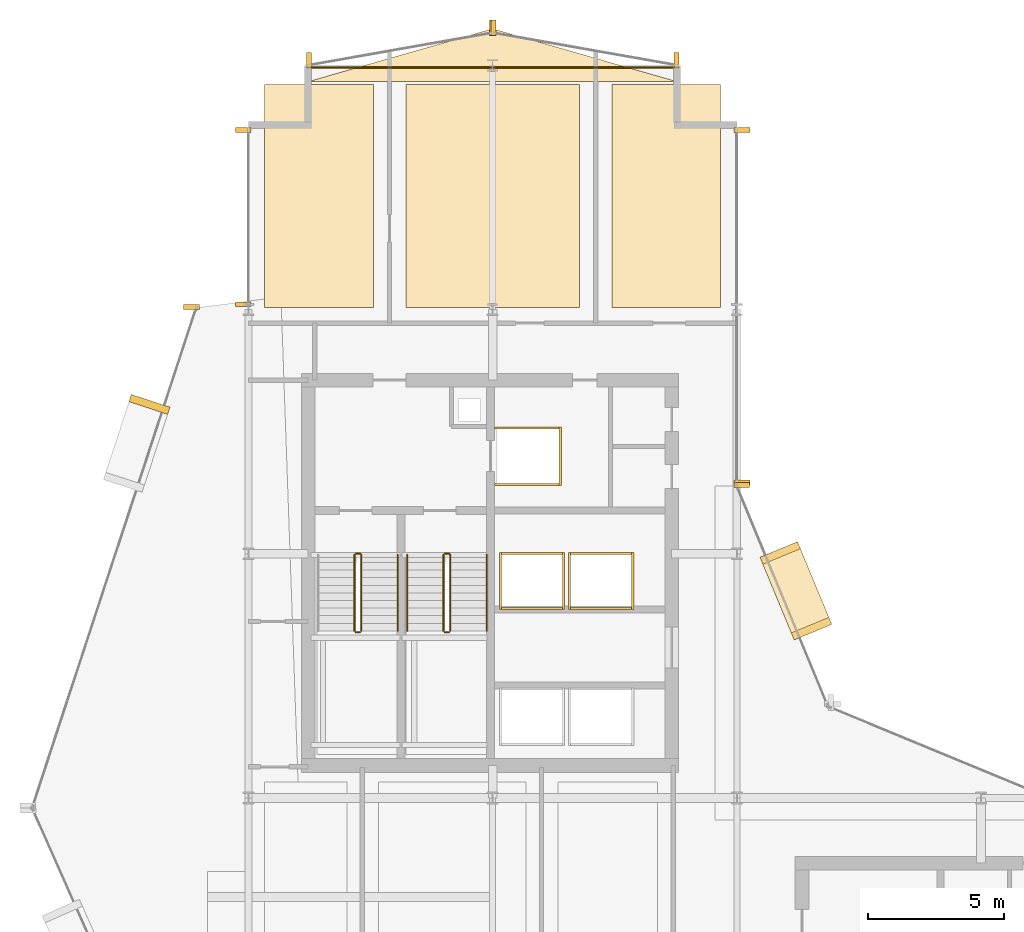
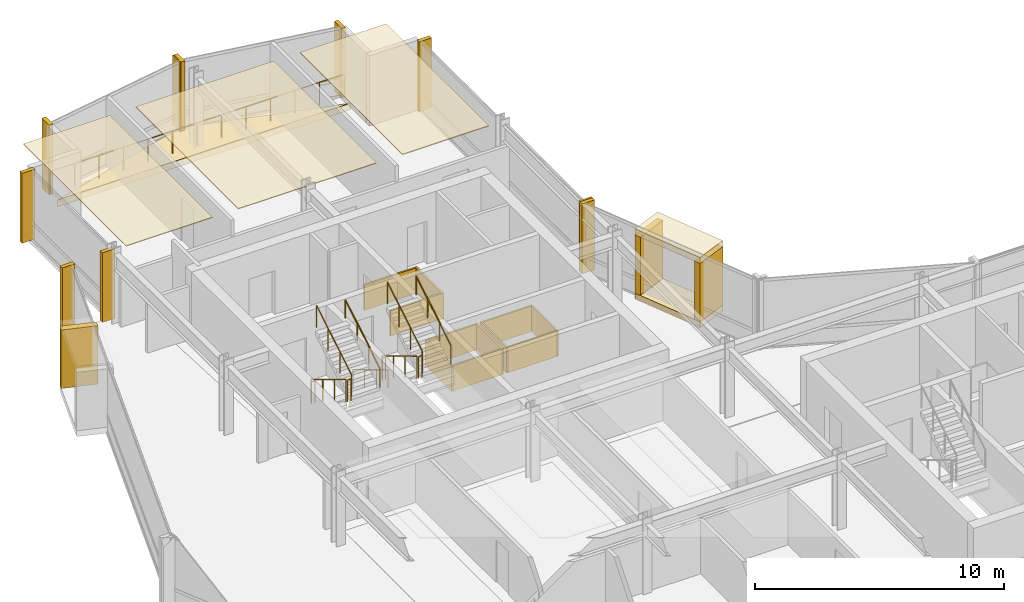
# One storey, part 28 of 28: 30 coverings, 12 railings.
"""IFC4 building model written with IfcOpenShell, lengths in metres."""

from ifc_helpers import new_model, si_unit, direction, frame, origin, origin_2d, place, context, subcontext, project, spatial, polyline, rectangle, circle, outline, extrude, material, layer, layer_set, type_object, element, save


model = new_model("IFC4")

# Units and contexts
model_context = context("Model", 3, precision=1e-05, world=origin(), true_north=direction((0.0, 1.0)))
body_context = subcontext(model_context, "Body", "Model", "MODEL_VIEW")
ifc_project = project(units=[si_unit("LENGTHUNIT", "METRE"), si_unit("AREAUNIT", "SQUARE_METRE"), si_unit("VOLUMEUNIT", "CUBIC_METRE"), si_unit("PLANEANGLEUNIT", "RADIAN"), si_unit("MASSUNIT", "GRAM", prefix="KILO")], contexts=[model_context])

# Site, building, storey
site_placement = place(None, origin())
site = spatial("IfcSite", under=ifc_project, at=site_placement, CompositionType="ELEMENT")
building_placement = place(site_placement, origin())
building = spatial("IfcBuilding", under=site, at=building_placement, Name="Solvaryn Broadcast Tower", CompositionType="ELEMENT")
storey_placement = place(building_placement, frame((0.0, 0.0, 154.39990234375)))
storey = spatial("IfcBuildingStorey", under=building, at=storey_placement, Name="L38", CompositionType="ELEMENT", Elevation=154.39990234375)

# Coverings
ifc_material_1 = material(Name="Micro-Perforated Acoustic Gypsum Ceiling", Category="concrete")
ifc_layer_1 = layer(ifc_material_1, 0.0400390625)
ifc_layer_set_1 = layer_set([ifc_layer_1], Name="CV-CEIL-ACOUSTIC")
covering_type_1 = type_object("IfcCoveringType", Name="CV-CEIL-ACOUSTIC", PredefinedType="CEILING", material=ifc_layer_set_1)
covering_1_placement = place(storey_placement, frame((0.0, 0.0, 3.380126953125)))
element("IfcCovering", 1, at=covering_1_placement, inside=storey, type_object=covering_type_1, Name="L38 Room Acoustic Ceiling 8", PredefinedType="CEILING", context=body_context, shape_type="SweptSolid", body=[
    extrude(outline(polyline([(9.60009765625, 45.070068359375), (13.60009765625, 45.070068359375), (13.60009765625, 53.300048828125), (9.60009765625, 53.300048828125), (9.60009765625, 45.070068359375)])), origin(), (0.0, 0.0, 1.0), 0.0400390625),
])
covering_2_placement = place(storey_placement, frame((0.0, 0.0, 3.380126953125)))
element("IfcCovering", 2, at=covering_2_placement, inside=storey, type_object=covering_type_1, Name="L38 Room Acoustic Ceiling 9", PredefinedType="CEILING", context=body_context, shape_type="SweptSolid", body=[
    extrude(outline(polyline([(14.800048828125, 45.070068359375), (21.199951171875, 45.070068359375), (21.199951171875, 53.300048828125), (14.800048828125, 53.300048828125), (14.800048828125, 45.070068359375)])), origin(), (0.0, 0.0, 1.0), 0.0400390625),
])
covering_3_placement = place(storey_placement, frame((0.0, 0.0, 3.380126953125)))
element("IfcCovering", 3, at=covering_3_placement, inside=storey, type_object=covering_type_1, Name="L38 Room Acoustic Ceiling 10", PredefinedType="CEILING", context=body_context, shape_type="SweptSolid", body=[
    extrude(outline(polyline([(22.39990234375, 45.070068359375), (26.39990234375, 45.070068359375), (26.39990234375, 53.300048828125), (22.39990234375, 53.300048828125), (22.39990234375, 45.070068359375)])), origin(), (0.0, 0.0, 1.0), 0.0400390625),
])
ifc_material_2 = material(Name="Fire-Rated Gypsum Shaftwall Liner", Category="concrete")
ifc_layer_2 = layer(ifc_material_2, 0.080078125)
ifc_layer_set_2 = layer_set([ifc_layer_2], Name="CV-SHAFT-LINER")
covering_type_2 = type_object("IfcCoveringType", Name="CV-SHAFT-LINER", PredefinedType="CLADDING", material=ifc_layer_set_2)
for number, where, z_axis, x_axis, name in (
    (4, (19.300048828125, 40.639892578125, 0.0), (0.0, 0.0, 1.0), (1.0, 0.0, 0.0), "L38 FL1 Hoistway Shaft Liner North"),
    (5, (19.300048828125, 38.56005859375, 0.0), (0.0, 0.0, 1.0), (1.0, 0.0, 0.0), "L38 FL1 Hoistway Shaft Liner South"),
):
    element("IfcCovering", number, at=place(storey_placement, frame(where, z_axis=z_axis, x_axis=x_axis)), inside=storey, type_object=covering_type_2, Name=name, PredefinedType="CLADDING", context=body_context, shape_type="SweptSolid", body=[
        extrude(rectangle(XDim=2.4599609375, YDim=0.080078125, at=origin_2d()), origin(), (0.0, 0.0, 1.0), 1.25),
    ])
covering_4_placement = place(storey_placement, frame((20.489990234375, 39.60009765625, 0.0), z_axis=(0.0, 0.0, 1.0), x_axis=(1.0, 0.0, 0.0)))
element("IfcCovering", 6, at=covering_4_placement, inside=storey, type_object=covering_type_2, Name="L38 FL1 Hoistway Shaft Liner East", PredefinedType="CLADDING", context=body_context, shape_type="SweptSolid", body=[
    extrude(rectangle(XDim=0.080078125, YDim=2.159912109375, at=origin_2d()), origin(), (0.0, 0.0, 1.0), 1.25),
])
for number, where, z_axis, x_axis, name in (
    (7, (19.449951171875, 36.014892578125, 0.0), (0.0, 0.0, 1.0), (1.0, 0.0, 0.0), "L38 PH3 Hoistway Shaft Liner North"),
    (8, (19.449951171875, 33.985107421875, 0.0), (0.0, 0.0, 1.0), (1.0, 0.0, 0.0), "L38 PH3 Hoistway Shaft Liner South"),
):
    element("IfcCovering", number, at=place(storey_placement, frame(where, z_axis=z_axis, x_axis=x_axis)), inside=storey, type_object=covering_type_2, Name=name, PredefinedType="CLADDING", context=body_context, shape_type="SweptSolid", body=[
        extrude(rectangle(XDim=2.409912109375, YDim=0.080078125, at=origin_2d()), origin(), (0.0, 0.0, 1.0), 1.25),
    ])
for number, where, z_axis, x_axis, name in (
    (9, (20.614990234375, 35.0, 0.0), (0.0, 0.0, 1.0), (1.0, 0.0, 0.0), "L38 PH3 Hoistway Shaft Liner East"),
    (10, (18.284912109375, 35.0, 0.0), (0.0, 0.0, 1.0), (1.0, 0.0, 0.0), "L38 PH3 Hoistway Shaft Liner West"),
):
    element("IfcCovering", number, at=place(storey_placement, frame(where, z_axis=z_axis, x_axis=x_axis)), inside=storey, type_object=covering_type_2, Name=name, PredefinedType="CLADDING", context=body_context, shape_type="SweptSolid", body=[
        extrude(rectangle(XDim=0.080078125, YDim=2.110107421875, at=origin_2d()), origin(), (0.0, 0.0, 1.0), 1.25),
    ])
for number, where, z_axis, x_axis, name in (
    (11, (22.0, 36.014892578125, 0.0), (0.0, 0.0, 1.0), (1.0, 0.0, 0.0), "L38 PH4 Hoistway Shaft Liner North"),
    (12, (22.0, 33.985107421875, 0.0), (0.0, 0.0, 1.0), (1.0, 0.0, 0.0), "L38 PH4 Hoistway Shaft Liner South"),
):
    element("IfcCovering", number, at=place(storey_placement, frame(where, z_axis=z_axis, x_axis=x_axis)), inside=storey, type_object=covering_type_2, Name=name, PredefinedType="CLADDING", context=body_context, shape_type="SweptSolid", body=[
        extrude(rectangle(XDim=2.409912109375, YDim=0.080078125, at=origin_2d()), origin(), (0.0, 0.0, 1.0), 1.25),
    ])
for number, where, z_axis, x_axis, name in (
    (13, (23.1650390625, 35.0, 0.0), (0.0, 0.0, 1.0), (1.0, 0.0, 0.0), "L38 PH4 Hoistway Shaft Liner East"),
    (14, (20.8349609375, 35.0, 0.0), (0.0, 0.0, 1.0), (1.0, 0.0, 0.0), "L38 PH4 Hoistway Shaft Liner West"),
):
    element("IfcCovering", number, at=place(storey_placement, frame(where, z_axis=z_axis, x_axis=x_axis)), inside=storey, type_object=covering_type_2, Name=name, PredefinedType="CLADDING", context=body_context, shape_type="SweptSolid", body=[
        extrude(rectangle(XDim=0.080078125, YDim=2.110107421875, at=origin_2d()), origin(), (0.0, 0.0, 1.0), 1.25),
    ])
ifc_material_3 = material(Name="Glazed Architectural Terracotta Rainscreen Cladding", Category="masonry")
ifc_layer_3 = layer(ifc_material_3, 0.280029296875)
ifc_layer_set_3 = layer_set([ifc_layer_3], Name="CV-TC-CLAD")
covering_type_3 = type_object("IfcCoveringType", Name="CV-TC-CLAD", PredefinedType="CLADDING", material=ifc_layer_set_3)
covering_5_placement = place(storey_placement, frame((5.353515625, 41.505859375, 0.2802734375), z_axis=(0.0, 0.0, 1.0), x_axis=(-0.311671636848, -0.950189870912, 0.0)))
element("IfcCovering", 15, at=covering_5_placement, inside=storey, type_object=covering_type_3, Name="L38 Projecting Stone Window Box Cheek 1-1", PredefinedType="CLADDING", context=body_context, shape_type="SweptSolid", body=[
    extrude(rectangle(XDim=0.280029296875, YDim=1.5, at=origin_2d()), origin(), (0.0, 0.0, 1.0), 2.860107421875),
])
for number, where, z_axis, x_axis, name in (
    (16, (29.174072265625, 34.636962890625, 3.1298828125), (0.0, 0.0, 1.0), (-0.382683432365, 0.923879532511, 0.0), "L38 Projecting Stone Window Box Hood 5"),
    (17, (29.174072265625, 34.636962890625, -0.009765625), (0.0, 0.0, 1.0), (-0.382683432365, 0.923879532511, 0.0), "L38 Projecting Stone Window Box Sill 5"),
):
    element("IfcCovering", number, at=place(storey_placement, frame(where, z_axis=z_axis, x_axis=x_axis)), inside=storey, type_object=covering_type_3, Name=name, PredefinedType="CLADDING", context=body_context, shape_type="SweptSolid", body=[
        extrude(rectangle(XDim=3.300048828125, YDim=1.5, at=origin_2d()), origin(), (0.0, 0.0, 1.0), 0.300048828125),
    ])
for number, where, z_axis, x_axis, name in (
    (18, (29.751953125, 33.241943359375, 0.2802734375), (0.0, 0.0, 1.0), (-0.382683432365, 0.923879532511, 0.0), "L38 Projecting Stone Window Box Cheek 5-1"),
    (19, (28.59619140625, 36.031982421875, 0.2802734375), (0.0, 0.0, 1.0), (-0.382683432365, 0.923879532511, 0.0), "L38 Projecting Stone Window Box Cheek 5-2"),
):
    element("IfcCovering", number, at=place(storey_placement, frame(where, z_axis=z_axis, x_axis=x_axis)), inside=storey, type_object=covering_type_3, Name=name, PredefinedType="CLADDING", context=body_context, shape_type="SweptSolid", body=[
        extrude(rectangle(XDim=0.280029296875, YDim=1.5, at=origin_2d()), origin(), (0.0, 0.0, 1.0), 2.860107421875),
    ])
ifc_material_4 = material(Name="Extruded Architectural Terracotta Fin", Category="masonry")
ifc_layer_4 = layer(ifc_material_4, 0.179931640625)
ifc_layer_set_4 = layer_set([ifc_layer_4], Name="CV-TC-FIN")
covering_type_4 = type_object("IfcCoveringType", Name="CV-TC-FIN", PredefinedType="USERDEFINED", material=ifc_layer_set_4)
for number, where, z_axis, x_axis, name in (
    (20, (6.898681640625, 45.0947265625, 0.000244140625), (0.0, 0.0, 1.0), (1.0, 0.0, 0.0), "L38 Terracotta Vertical Fin FIN-L38-DR1-M00"),
    (21, (8.8125, 45.197021484375, 0.000244140625), (0.0, 0.0, 1.0), (1.0, 0.0, 0.0), "L38 Terracotta Vertical Fin FIN-L38-W2-M00"),
    (22, (8.8125, 51.6201171875, 0.000244140625), (0.0, 0.0, 1.0), (1.0, 0.0, 0.0), "L38 Terracotta Vertical Fin FIN-L38-W2-M01"),
    (23, (27.1875, 51.6201171875, 0.000244140625), (0.0, 0.0, 1.0), (1.0, 0.0, 0.0), "L38 Terracotta Vertical Fin FIN-L38-IV-M00"),
    (24, (27.1875, 38.6298828125, 0.000244140625), (0.0, 0.0, 1.0), (1.0, 0.0, 0.0), "L38 Terracotta Vertical Fin FIN-L38-IV-M01"),
    (25, (27.177978515625, 38.541259765625, 0.000244140625), (0.0, 0.0, 1.0), (1.0, 0.0, 0.0), "L38 Terracotta Vertical Fin FIN-L38-CN2-M01"),
):
    element("IfcCovering", number, at=place(storey_placement, frame(where, z_axis=z_axis, x_axis=x_axis)), inside=storey, type_object=covering_type_4, Name=name, ObjectType="FIN", PredefinedType="USERDEFINED", context=body_context, shape_type="SweptSolid", body=[
        extrude(rectangle(XDim=0.580078125, YDim=0.179931640625, at=origin_2d()), origin(), (0.0, 0.0, 1.0), 3.419921875),
    ])
for number, where, z_axis, x_axis, name in (
    (26, (24.7705078125, 54.192626953125, 0.000244140625), (0.0, 0.0, 1.0), (1.0, 0.0, 0.0), "L38 Terracotta Vertical Fin FIN-L38-NT1-M00"),
    (27, (18.029541015625, 55.38232421875, 0.000244140625), (0.0, 0.0, 1.0), (1.0, 0.0, 0.0), "L38 Terracotta Vertical Fin FIN-L38-NT1-M01"),
    (28, (17.970458984375, 55.38232421875, 0.000244140625), (0.0, 0.0, 1.0), (1.0, 0.0, 0.0), "L38 Terracotta Vertical Fin FIN-L38-NT2-M00"),
    (29, (11.2294921875, 54.192626953125, 0.000244140625), (0.0, 0.0, 1.0), (1.0, 0.0, 0.0), "L38 Terracotta Vertical Fin FIN-L38-NT2-M01"),
):
    element("IfcCovering", number, at=place(storey_placement, frame(where, z_axis=z_axis, x_axis=x_axis)), inside=storey, type_object=covering_type_4, Name=name, ObjectType="FIN", PredefinedType="USERDEFINED", context=body_context, shape_type="SweptSolid", body=[
        extrude(rectangle(XDim=0.179931640625, YDim=0.580078125, at=origin_2d()), origin(), (0.0, 0.0, 1.0), 3.419921875),
    ])
ifc_material_5 = material(Name="Sculpted Architectural Terracotta Wave Fascia", Category="masonry")
ifc_layer_5 = layer(ifc_material_5, 0.340087890625)
ifc_layer_set_5 = layer_set([ifc_layer_5], Name="CV-WAVE-TRAY")
covering_type_5 = type_object("IfcCoveringType", Name="CV-WAVE-TRAY", PredefinedType="CLADDING", material=ifc_layer_set_5)
covering_6_placement = place(storey_placement, frame((0.0, 0.0, -0.2998046875)))
element("IfcCovering", 30, at=covering_6_placement, inside=storey, type_object=covering_type_5, Name="L38 North Curved Wing Deck", PredefinedType="CLADDING", context=body_context, shape_type="SweptSolid", body=[
    extrude(outline(polyline([(11.199951171875, 53.39990234375), (24.800048828125, 53.39990234375), (18.0, 55.35009765625), (11.199951171875, 53.39990234375)])), origin(), (0.0, 0.0, 1.0), 0.329833984375),
])

# Railings
ifc_material_6 = material(Name="Painted Steel Stair Well Guard", Category="steel")
railing_type_1 = type_object("IfcRailingType", Name="RL-STAIR-GUARD", PredefinedType="BALUSTRADE", material=ifc_material_6)
railing_1_placement = place(storey_placement, frame((12.909912109375, 35.9599609375, 0.168212890625)))
element("IfcRailing", 31, at=railing_1_placement, inside=storey, type_object=railing_type_1, Name="L38 ST1 stair guard 1", PredefinedType="BALUSTRADE", context=body_context, shape_type="SweptSolid", body=[
    extrude(circle(Radius=0.02392578125, at=origin_2d()), frame((0.0, 0.0, 1.076171875), z_axis=(0.0, -0.857242210791, 0.514913383045), x_axis=(1.0, 0.0, 0.0)), (0.0, 0.0, 1.0), 3.266357421875),
    extrude(circle(Radius=0.02099609375, at=origin_2d()), origin(), (0.0, 0.0, 1.0), 1.052001953125),
    extrude(circle(Radius=0.02099609375, at=origin_2d()), frame((0.0, -0.933349609375, 0.560546875)), (0.0, 0.0, 1.0), 1.052001953125),
    extrude(circle(Radius=0.02099609375, at=origin_2d()), frame((0.0, -1.86669921875, 1.121337890625)), (0.0, 0.0, 1.0), 1.052001953125),
    extrude(circle(Radius=0.02099609375, at=origin_2d()), frame((0.0, -2.800048828125, 1.681884765625)), (0.0, 0.0, 1.0), 1.052001953125),
])
railing_2_placement = place(storey_placement, frame((12.9599609375, 33.110107421875, 1.85009765625)))
element("IfcRailing", 32, at=railing_2_placement, inside=storey, type_object=railing_type_1, Name="L38 ST1 stair guard 2", PredefinedType="BALUSTRADE", context=body_context, shape_type="SweptSolid", body=[
    extrude(circle(Radius=0.02392578125, at=origin_2d()), frame((0.0, 0.0, 1.076171875), z_axis=(1.0, 0.0, 0.0), x_axis=(0.0, 1.0, 0.0)), (0.0, 0.0, 1.0), 0.150146484375),
    extrude(circle(Radius=0.02099609375, at=origin_2d()), origin(), (0.0, 0.0, 1.0), 1.052001953125),
    extrude(circle(Radius=0.02099609375, at=origin_2d()), frame((0.150146484375, 0.0, 0.0)), (0.0, 0.0, 1.0), 1.052001953125),
])
railing_3_placement = place(storey_placement, frame((13.159912109375, 33.159912109375, 2.018310546875)))
element("IfcRailing", 33, at=railing_3_placement, inside=storey, type_object=railing_type_1, Name="L38 ST1 stair guard 3", PredefinedType="BALUSTRADE", context=body_context, shape_type="SweptSolid", body=[
    extrude(circle(Radius=0.02392578125, at=origin_2d()), frame((0.0, 0.0, 1.076171875), z_axis=(0.0, 0.857242210791, 0.514913383045), x_axis=(-1.0, 0.0, 0.0)), (0.0, 0.0, 1.0), 3.266357421875),
    extrude(circle(Radius=0.02099609375, at=origin_2d()), origin(), (0.0, 0.0, 1.0), 1.052001953125),
    extrude(circle(Radius=0.02099609375, at=origin_2d()), frame((0.0, 0.933349609375, 0.560546875)), (0.0, 0.0, 1.0), 1.052001953125),
    extrude(circle(Radius=0.02099609375, at=origin_2d()), frame((0.0, 1.86669921875, 1.121337890625)), (0.0, 0.0, 1.0), 1.052001953125),
    extrude(circle(Radius=0.02099609375, at=origin_2d()), frame((0.0, 2.800048828125, 1.681884765625)), (0.0, 0.0, 1.0), 1.052001953125),
])
railing_4_placement = place(storey_placement, frame((12.9599609375, 36.010009765625, 0.0)))
element("IfcRailing", 34, at=railing_4_placement, inside=storey, type_object=railing_type_1, Name="L38 ST1 stair guard 4", PredefinedType="BALUSTRADE", context=body_context, shape_type="SweptSolid", body=[
    extrude(circle(Radius=0.02392578125, at=origin_2d()), frame((0.0, 0.0, 1.076171875), z_axis=(1.0, 0.0, 0.0), x_axis=(0.0, 1.0, 0.0)), (0.0, 0.0, 1.0), 0.150146484375),
    extrude(circle(Radius=0.02099609375, at=origin_2d()), origin(), (0.0, 0.0, 1.0), 1.052001953125),
    extrude(circle(Radius=0.02099609375, at=origin_2d()), frame((0.150146484375, 0.0, 0.0)), (0.0, 0.0, 1.0), 1.052001953125),
])
railing_5_placement = place(storey_placement, frame((16.18994140625, 35.9599609375, 0.168212890625)))
element("IfcRailing", 35, at=railing_5_placement, inside=storey, type_object=railing_type_1, Name="L38 ST2 stair guard 1", PredefinedType="BALUSTRADE", context=body_context, shape_type="SweptSolid", body=[
    extrude(circle(Radius=0.02392578125, at=origin_2d()), frame((0.0, 0.0, 1.076171875), z_axis=(0.0, -0.857242210791, 0.514913383045), x_axis=(1.0, 0.0, 0.0)), (0.0, 0.0, 1.0), 3.266357421875),
    extrude(circle(Radius=0.02099609375, at=origin_2d()), origin(), (0.0, 0.0, 1.0), 1.052001953125),
    extrude(circle(Radius=0.02099609375, at=origin_2d()), frame((0.0, -0.933349609375, 0.560546875)), (0.0, 0.0, 1.0), 1.052001953125),
    extrude(circle(Radius=0.02099609375, at=origin_2d()), frame((0.0, -1.86669921875, 1.121337890625)), (0.0, 0.0, 1.0), 1.052001953125),
    extrude(circle(Radius=0.02099609375, at=origin_2d()), frame((0.0, -2.800048828125, 1.681884765625)), (0.0, 0.0, 1.0), 1.052001953125),
])
railing_6_placement = place(storey_placement, frame((16.239990234375, 33.110107421875, 1.85009765625)))
element("IfcRailing", 36, at=railing_6_placement, inside=storey, type_object=railing_type_1, Name="L38 ST2 stair guard 2", PredefinedType="BALUSTRADE", context=body_context, shape_type="SweptSolid", body=[
    extrude(circle(Radius=0.02392578125, at=origin_2d()), frame((0.0, 0.0, 1.076171875), z_axis=(1.0, 0.0, 0.0), x_axis=(0.0, 1.0, 0.0)), (0.0, 0.0, 1.0), 0.14990234375),
    extrude(circle(Radius=0.02099609375, at=origin_2d()), origin(), (0.0, 0.0, 1.0), 1.052001953125),
    extrude(circle(Radius=0.02099609375, at=origin_2d()), frame((0.14990234375, 0.0, 0.0)), (0.0, 0.0, 1.0), 1.052001953125),
])
railing_7_placement = place(storey_placement, frame((16.43994140625, 33.159912109375, 2.018310546875)))
element("IfcRailing", 37, at=railing_7_placement, inside=storey, type_object=railing_type_1, Name="L38 ST2 stair guard 3", PredefinedType="BALUSTRADE", context=body_context, shape_type="SweptSolid", body=[
    extrude(circle(Radius=0.02392578125, at=origin_2d()), frame((0.0, 0.0, 1.076171875), z_axis=(0.0, 0.857242210791, 0.514913383045), x_axis=(-1.0, 0.0, 0.0)), (0.0, 0.0, 1.0), 3.266357421875),
    extrude(circle(Radius=0.02099609375, at=origin_2d()), origin(), (0.0, 0.0, 1.0), 1.052001953125),
    extrude(circle(Radius=0.02099609375, at=origin_2d()), frame((0.0, 0.933349609375, 0.560546875)), (0.0, 0.0, 1.0), 1.052001953125),
    extrude(circle(Radius=0.02099609375, at=origin_2d()), frame((0.0, 1.86669921875, 1.121337890625)), (0.0, 0.0, 1.0), 1.052001953125),
    extrude(circle(Radius=0.02099609375, at=origin_2d()), frame((0.0, 2.800048828125, 1.681884765625)), (0.0, 0.0, 1.0), 1.052001953125),
])
railing_8_placement = place(storey_placement, frame((16.239990234375, 36.010009765625, 0.0)))
element("IfcRailing", 38, at=railing_8_placement, inside=storey, type_object=railing_type_1, Name="L38 ST2 stair guard 4", PredefinedType="BALUSTRADE", context=body_context, shape_type="SweptSolid", body=[
    extrude(circle(Radius=0.02392578125, at=origin_2d()), frame((0.0, 0.0, 1.076171875), z_axis=(1.0, 0.0, 0.0), x_axis=(0.0, 1.0, 0.0)), (0.0, 0.0, 1.0), 0.14990234375),
    extrude(circle(Radius=0.02099609375, at=origin_2d()), origin(), (0.0, 0.0, 1.0), 1.052001953125),
    extrude(circle(Radius=0.02099609375, at=origin_2d()), frame((0.14990234375, 0.0, 0.0)), (0.0, 0.0, 1.0), 1.052001953125),
])
ifc_material_7 = material(Name="Brushed Stainless Steel Tubular Handrail", Category="steel")
railing_type_2 = type_object("IfcRailingType", Name="RL-STAIR-HANDRAIL", PredefinedType="HANDRAIL", material=ifc_material_7)
railing_9_placement = place(storey_placement, frame((14.5, 33.159912109375, 2.018310546875)))
element("IfcRailing", 39, at=railing_9_placement, inside=storey, type_object=railing_type_2, Name="L38 ST1 stair handrail 2", PredefinedType="HANDRAIL", context=body_context, shape_type="SweptSolid", body=[
    extrude(circle(Radius=0.02392578125, at=origin_2d()), frame((0.0, 0.0, 0.8759765625), z_axis=(0.0, 0.857242210791, 0.514913383045), x_axis=(-1.0, 0.0, 0.0)), (0.0, 0.0, 1.0), 3.266357421875),
    extrude(circle(Radius=0.02099609375, at=origin_2d()), origin(), (0.0, 0.0, 1.0), 0.851806640625),
    extrude(circle(Radius=0.02099609375, at=origin_2d()), frame((0.0, 0.933349609375, 0.560546875)), (0.0, 0.0, 1.0), 0.851806640625),
    extrude(circle(Radius=0.02099609375, at=origin_2d()), frame((0.0, 1.86669921875, 1.121337890625)), (0.0, 0.0, 1.0), 0.851806640625),
    extrude(circle(Radius=0.02099609375, at=origin_2d()), frame((0.0, 2.800048828125, 1.681884765625)), (0.0, 0.0, 1.0), 0.851806640625),
])
railing_10_placement = place(storey_placement, frame((14.85009765625, 35.9599609375, 0.168212890625)))
element("IfcRailing", 40, at=railing_10_placement, inside=storey, type_object=railing_type_2, Name="L38 ST2 stair handrail 1", PredefinedType="HANDRAIL", context=body_context, shape_type="SweptSolid", body=[
    extrude(circle(Radius=0.02392578125, at=origin_2d()), frame((0.0, 0.0, 0.8759765625), z_axis=(0.0, -0.857242210791, 0.514913383045), x_axis=(1.0, 0.0, 0.0)), (0.0, 0.0, 1.0), 3.266357421875),
    extrude(circle(Radius=0.02099609375, at=origin_2d()), origin(), (0.0, 0.0, 1.0), 0.851806640625),
    extrude(circle(Radius=0.02099609375, at=origin_2d()), frame((0.0, -0.933349609375, 0.560546875)), (0.0, 0.0, 1.0), 0.851806640625),
    extrude(circle(Radius=0.02099609375, at=origin_2d()), frame((0.0, -1.86669921875, 1.121337890625)), (0.0, 0.0, 1.0), 0.851806640625),
    extrude(circle(Radius=0.02099609375, at=origin_2d()), frame((0.0, -2.800048828125, 1.681884765625)), (0.0, 0.0, 1.0), 0.851806640625),
])
railing_11_placement = place(storey_placement, frame((17.780029296875, 33.159912109375, 2.018310546875)))
element("IfcRailing", 41, at=railing_11_placement, inside=storey, type_object=railing_type_2, Name="L38 ST2 stair handrail 2", PredefinedType="HANDRAIL", context=body_context, shape_type="SweptSolid", body=[
    extrude(circle(Radius=0.02392578125, at=origin_2d()), frame((0.0, 0.0, 0.8759765625), z_axis=(0.0, 0.857242210791, 0.514913383045), x_axis=(-1.0, 0.0, 0.0)), (0.0, 0.0, 1.0), 3.266357421875),
    extrude(circle(Radius=0.02099609375, at=origin_2d()), origin(), (0.0, 0.0, 1.0), 0.851806640625),
    extrude(circle(Radius=0.02099609375, at=origin_2d()), frame((0.0, 0.933349609375, 0.560546875)), (0.0, 0.0, 1.0), 0.851806640625),
    extrude(circle(Radius=0.02099609375, at=origin_2d()), frame((0.0, 1.86669921875, 1.121337890625)), (0.0, 0.0, 1.0), 0.851806640625),
    extrude(circle(Radius=0.02099609375, at=origin_2d()), frame((0.0, 2.800048828125, 1.681884765625)), (0.0, 0.0, 1.0), 0.851806640625),
])
ifc_material_8 = material(Name="Stainless Steel and Laminated Glass Guard", Category="steel")
railing_type_3 = type_object("IfcRailingType", Name="RL-TER-1150", PredefinedType="BALUSTRADE", material=ifc_material_8)
railing_12_placement = place(storey_placement, frame((11.199951171875, 53.919921875, 0.0)))
element("IfcRailing", 42, at=railing_12_placement, inside=storey, type_object=railing_type_3, Name="L38 North Wing Spandrel Edge Guard", PredefinedType="BALUSTRADE", context=body_context, shape_type="SweptSolid", body=[
    extrude(circle(Radius=0.02392578125, at=origin_2d()), frame((0.0, 0.0, 1.1259765625), z_axis=(1.0, 0.0, 0.0), x_axis=(0.0, 1.0, 0.0)), (0.0, 0.0, 1.0), 13.60009765625),
    extrude(circle(Radius=0.02099609375, at=origin_2d()), origin(), (0.0, 0.0, 1.0), 1.101806640625),
    extrude(circle(Radius=0.02099609375, at=origin_2d()), frame((1.13330078125, 0.0, 0.0)), (0.0, 0.0, 1.0), 1.101806640625),
    extrude(circle(Radius=0.02099609375, at=origin_2d()), frame((2.2666015625, 0.0, 0.0)), (0.0, 0.0, 1.0), 1.101806640625),
    extrude(circle(Radius=0.02099609375, at=origin_2d()), frame((3.39990234375, 0.0, 0.0)), (0.0, 0.0, 1.0), 1.101806640625),
    extrude(circle(Radius=0.02099609375, at=origin_2d()), frame((4.533447265625, 0.0, 0.0)), (0.0, 0.0, 1.0), 1.101806640625),
    extrude(circle(Radius=0.02099609375, at=origin_2d()), frame((5.666748046875, 0.0, 0.0)), (0.0, 0.0, 1.0), 1.101806640625),
    extrude(circle(Radius=0.02099609375, at=origin_2d()), frame((6.800048828125, 0.0, 0.0)), (0.0, 0.0, 1.0), 1.101806640625),
    extrude(circle(Radius=0.02099609375, at=origin_2d()), frame((7.933349609375, 0.0, 0.0)), (0.0, 0.0, 1.0), 1.101806640625),
    extrude(circle(Radius=0.02099609375, at=origin_2d()), frame((9.066650390625, 0.0, 0.0)), (0.0, 0.0, 1.0), 1.101806640625),
    extrude(circle(Radius=0.02099609375, at=origin_2d()), frame((10.2001953125, 0.0, 0.0)), (0.0, 0.0, 1.0), 1.101806640625),
    extrude(circle(Radius=0.02099609375, at=origin_2d()), frame((11.33349609375, 0.0, 0.0)), (0.0, 0.0, 1.0), 1.101806640625),
    extrude(circle(Radius=0.02099609375, at=origin_2d()), frame((12.466796875, 0.0, 0.0)), (0.0, 0.0, 1.0), 1.101806640625),
    extrude(circle(Radius=0.02099609375, at=origin_2d()), frame((13.60009765625, 0.0, 0.0)), (0.0, 0.0, 1.0), 1.101806640625),
])

save(model, "model.ifc")
